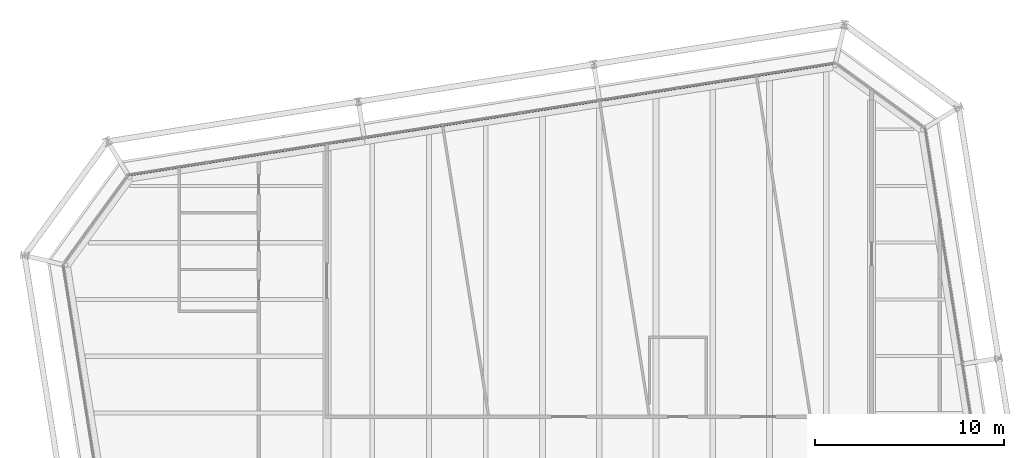
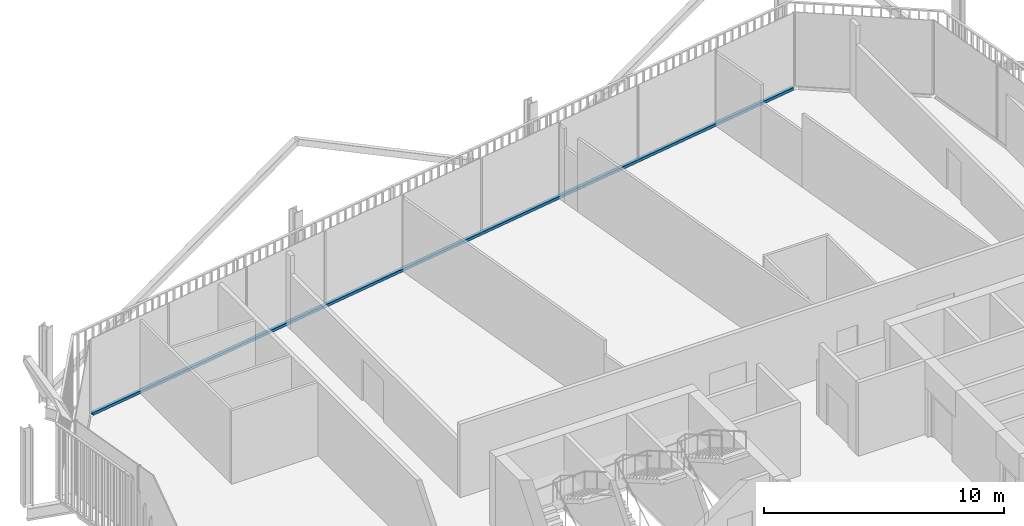
# One storey, part 14 of 21: 1 member, 1 element without a shape of its own.
"""IFC4 building model written with IfcOpenShell, lengths in metres."""

from ifc_helpers import new_model, si_unit, direction, frame, origin, origin_2d, place, context, subcontext, project, spatial, rectangle, extrude, material, layer, layer_set, material_profile, profile_set, type_object, element, aggregate, save


model = new_model("IFC4")

# Units and contexts
model_context = context("Model", 3, precision=1e-05, world=origin(), true_north=direction((0.0, 1.0)))
body_context = subcontext(model_context, "Body", "Model", "MODEL_VIEW")
ifc_project = project(units=[si_unit("LENGTHUNIT", "METRE"), si_unit("AREAUNIT", "SQUARE_METRE"), si_unit("VOLUMEUNIT", "CUBIC_METRE"), si_unit("PLANEANGLEUNIT", "RADIAN"), si_unit("MASSUNIT", "GRAM", prefix="KILO")], contexts=[model_context])

# Site, building, storey
site_placement = place(None, origin())
site = spatial("IfcSite", under=ifc_project, at=site_placement, CompositionType="ELEMENT")
building_placement = place(site_placement, origin())
building = spatial("IfcBuilding", under=site, at=building_placement, Name="Millrace Tower", CompositionType="ELEMENT")
storey_placement = place(building_placement, frame((0.0, 0.0, 255.199951171875)))
storey = spatial("IfcBuildingStorey", under=building, at=storey_placement, Name="L58", CompositionType="ELEMENT", Elevation=255.199951171875)

# Curtain wall, member
ifc_material_1 = material(Name="Aluminium and glass", Category="aluminium")
ifc_layer = layer(ifc_material_1, 0.14990234375)
ifc_layer_set = layer_set([ifc_layer], Name="Aluminium and glass")
curtain_wall_type = type_object("IfcCurtainWallType", Name="CW-1 office vision curtain wall", PredefinedType="NOTDEFINED", material=ifc_layer_set)
curtain_wall_placement = place(storey_placement, origin())
curtain_wall = element("IfcCurtainWall", 1, at=curtain_wall_placement, inside=storey, type_object=curtain_wall_type, Name="Curtain wall D-F06 L58", PredefinedType="NOTDEFINED")
ifc_material_2 = material(Name="Aluminium", Category="aluminium")
ifc_material_profile = material_profile(ifc_material_2, rectangle(XDim=0.14990234375, YDim=0.139892578125, at=origin_2d()))
ifc_profile_set = profile_set([ifc_material_profile], Name="Aluminium")
member_type = type_object("IfcMemberType", Name="CW-1 office vision curtain wall transom", PredefinedType="USERDEFINED", material=ifc_profile_set)
member_placement = place(storey_placement, frame((12.35888671875, 30.48193359375, 0.070068359375), z_axis=(-0.987687829698, -0.156437690685, 0.0), x_axis=(0.156437690685, -0.987687829698, 0.0)))
member = element("IfcMember", 2, at=member_placement, type_object=member_type, Name="CW1 transom D-F06.1", ObjectType="TRANSOM", PredefinedType="USERDEFINED", context=body_context, shape_type="SweptSolid", body=[
    extrude(rectangle(XDim=0.14990234375, YDim=0.139892578125, at=origin_2d()), origin(), (0.0, 0.0, 1.0), 37.60009765625),
])
aggregate(curtain_wall, [member])

save(model, "model.ifc")
